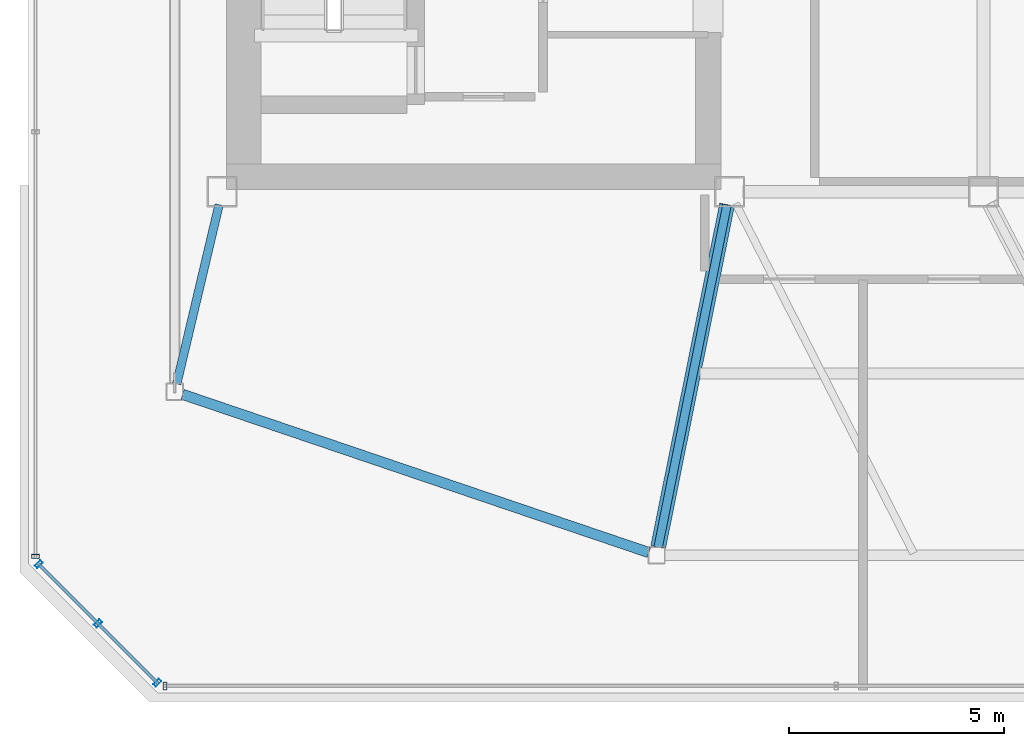
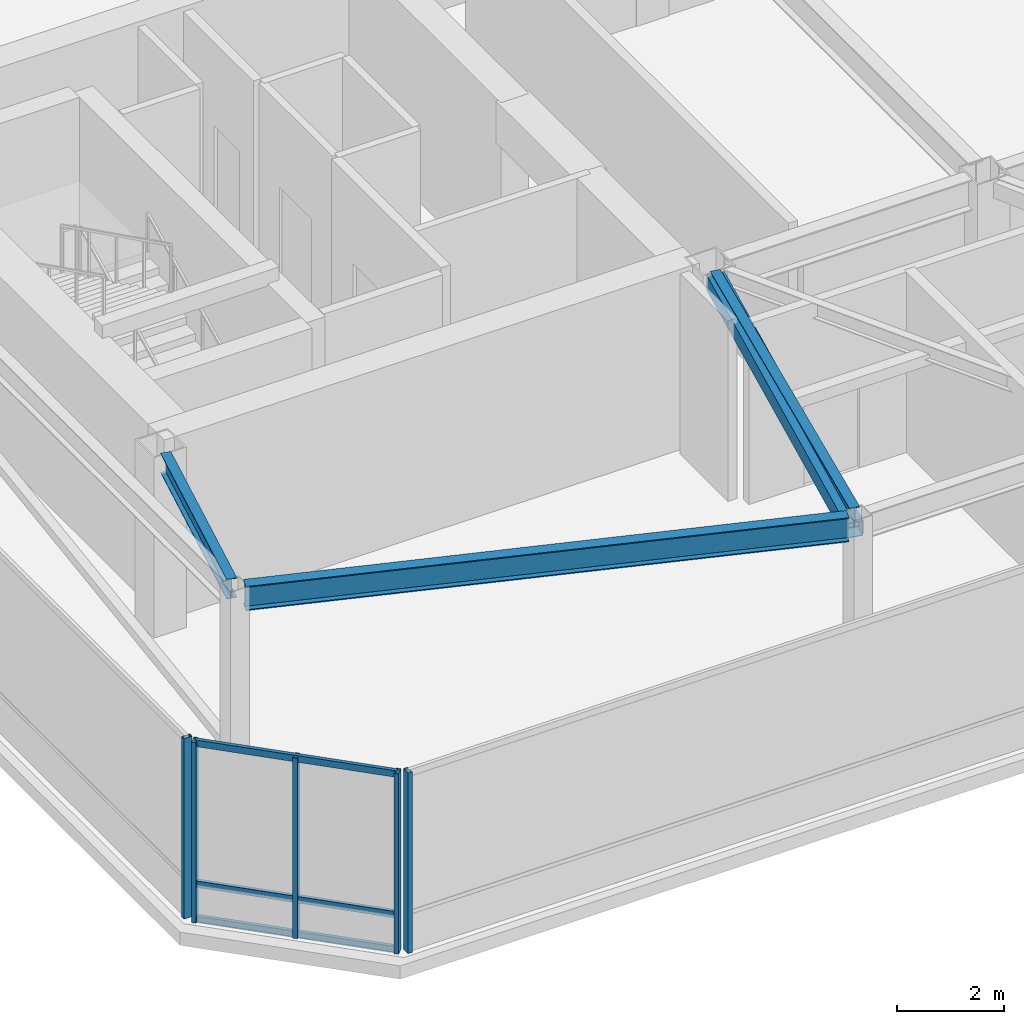
# One storey, part 2 of 21: 9 members, 3 beams, 3 elements without a shape of their own.
"""IFC4 building model written with IfcOpenShell, lengths in metres."""

from ifc_helpers import new_model, si_unit, direction, frame, origin, origin_2d, place, context, subcontext, project, spatial, hollow_rectangle, i_section, extrude, material, layer, layer_set, material_profile, profile_set, type_object, element, aggregate, save


model = new_model("IFC4")

# Units and contexts
model_context = context("Model", 3, precision=1e-05, world=origin(), true_north=direction((0.0, 1.0)))
body_context = subcontext(model_context, "Body", "Model", "MODEL_VIEW")
ifc_project = project(units=[si_unit("LENGTHUNIT", "METRE"), si_unit("AREAUNIT", "SQUARE_METRE"), si_unit("VOLUMEUNIT", "CUBIC_METRE"), si_unit("PLANEANGLEUNIT", "RADIAN"), si_unit("MASSUNIT", "GRAM", prefix="KILO")], contexts=[model_context])

# Site, building, storey
site_placement = place(None, origin())
site = spatial("IfcSite", under=ifc_project, at=site_placement, CompositionType="ELEMENT")
building_placement = place(site_placement, origin())
building = spatial("IfcBuilding", under=site, at=building_placement, Name="Tavrogorsk Clinical Tower", CompositionType="ELEMENT")
storey_placement = place(building_placement, frame((0.0, 0.0, 344.199951171875)))
storey = spatial("IfcBuildingStorey", under=building, at=storey_placement, Name="L80", CompositionType="ELEMENT", Elevation=344.199951171875)

# Member
ifc_material_1 = material(Name="Structural steel S390", Category="steel")
ifc_material_profile_1 = material_profile(ifc_material_1, hollow_rectangle(XDim=0.35009765625, YDim=0.35009765625, WallThickness=0.01611328125, at=origin_2d()), Name="SHS-350x350x16")
ifc_profile_set_1 = profile_set([ifc_material_profile_1], Name="Structural steel S390")
member_type_1 = type_object("IfcMemberType", Name="CrownFacetRafter_SHS350", PredefinedType="RAFTER", material=ifc_profile_set_1)
member_1_placement = place(storey_placement, frame((-10.361083984375, -6.65380859375, 3.869384765625), z_axis=(-0.197131196678, -0.97975889631, -0.03481086608), x_axis=(0.980353070529, -0.197250746779, 0.0)))
element("IfcMember", 1, at=member_1_placement, inside=storey, type_object=member_type_1, Name="L80 Sloped Facet Rafter S-1", PredefinedType="RAFTER", context=body_context, shape_type="SweptSolid", body=[
    extrude(hollow_rectangle(XDim=0.35009765625, YDim=0.35009765625, WallThickness=0.01611328125, at=origin_2d()), origin(), (0.0, 0.0, 1.0), 8.114501953125),
])

# Curtain wall, members
ifc_material_2 = material(Name="Anodised aluminium and triple IGU glazing", Category="aluminium")
ifc_layer = layer(ifc_material_2, 0.179931640625)
ifc_layer_set = layer_set([ifc_layer], Name="Anodised aluminium and triple IGU glazing")
curtain_wall_type = type_object("IfcCurtainWallType", Name="CW5_SkyLobby", PredefinedType="NOTDEFINED", material=ifc_layer_set)
curtain_wall_1_placement = place(storey_placement, origin())
curtain_wall_1 = element("IfcCurtainWall", 2, at=curtain_wall_1_placement, inside=storey, type_object=curtain_wall_type, Name="L80 Curtain Wall CW-L80-DRUM-1", PredefinedType="NOTDEFINED")
ifc_material_3 = material(Name="Anodised aluminium alloy AW-6060", Category="aluminium")
ifc_material_profile_2 = material_profile(ifc_material_3, hollow_rectangle(XDim=0.090087890625, YDim=0.179931640625, WallThickness=0.00634765625, at=origin_2d()), Name="RHS-180x90x6.3")
ifc_profile_set_2 = profile_set([ifc_material_profile_2], Name="Anodised aluminium alloy AW-6060")
member_type_2 = type_object("IfcMemberType", Name="CwMullion_180x90", PredefinedType="MULLION", material=ifc_profile_set_2)
member_2_placement = place(storey_placement, frame((-23.60791015625, -17.765869140625, 0.0), z_axis=(0.0, 0.0, 1.0), x_axis=(-0.707106781187, 0.707106781187, 0.0)))
member_2 = element("IfcMember", 3, at=member_2_placement, type_object=member_type_2, Name="CW-L80-DRUM-1 Mullion 1", PredefinedType="MULLION", context=body_context, shape_type="SweptSolid", body=[
    extrude(hollow_rectangle(XDim=0.090087890625, YDim=0.179931640625, WallThickness=0.00634765625, at=origin_2d()), origin(), (0.0, 0.0, 1.0), 4.10009765625),
])
member_3_placement = place(storey_placement, frame((-24.98681640625, -16.386962890625, 0.0), z_axis=(0.0, 0.0, 1.0), x_axis=(-0.707106781187, 0.707106781187, 0.0)))
member_3 = element("IfcMember", 4, at=member_3_placement, type_object=member_type_2, Name="CW-L80-DRUM-1 Mullion 2", PredefinedType="MULLION", context=body_context, shape_type="SweptSolid", body=[
    extrude(hollow_rectangle(XDim=0.090087890625, YDim=0.179931640625, WallThickness=0.00634765625, at=origin_2d()), origin(), (0.0, 0.0, 1.0), 4.10009765625),
])
member_4_placement = place(storey_placement, frame((-26.36572265625, -15.008056640625, 0.0), z_axis=(0.0, 0.0, 1.0), x_axis=(-0.707106781187, 0.707106781187, 0.0)))
member_4 = element("IfcMember", 5, at=member_4_placement, type_object=member_type_2, Name="CW-L80-DRUM-1 Mullion 3", PredefinedType="MULLION", context=body_context, shape_type="SweptSolid", body=[
    extrude(hollow_rectangle(XDim=0.090087890625, YDim=0.179931640625, WallThickness=0.00634765625, at=origin_2d()), origin(), (0.0, 0.0, 1.0), 4.10009765625),
])

# Curtain wall, member
curtain_wall_2_placement = place(storey_placement, origin())
curtain_wall_2 = element("IfcCurtainWall", 6, at=curtain_wall_2_placement, inside=storey, type_object=curtain_wall_type, Name="L80 Curtain Wall CW-L80-DRUM-2", PredefinedType="NOTDEFINED")
member_5_placement = place(storey_placement, frame((-26.43994140625, -14.82861328125, 0.0), z_axis=(0.0, 0.0, 1.0), x_axis=(0.0, 1.0, 0.0)))
member_5 = element("IfcMember", 7, at=member_5_placement, type_object=member_type_2, Name="CW-L80-DRUM-2 Mullion 1", PredefinedType="MULLION", context=body_context, shape_type="SweptSolid", body=[
    extrude(hollow_rectangle(XDim=0.090087890625, YDim=0.179931640625, WallThickness=0.00634765625, at=origin_2d()), origin(), (0.0, 0.0, 1.0), 4.10009765625),
])
aggregate(curtain_wall_2, [member_5])

curtain_wall_3_placement = place(storey_placement, origin())
curtain_wall_3 = element("IfcCurtainWall", 8, at=curtain_wall_3_placement, inside=storey, type_object=curtain_wall_type, Name="L80 Curtain Wall CW-L80-DRUM-8", PredefinedType="NOTDEFINED")
member_6_placement = place(storey_placement, frame((-23.4287109375, -17.840087890625, 0.0), z_axis=(0.0, 0.0, 1.0), x_axis=(-1.0, 0.0, 0.0)))
member_6 = element("IfcMember", 9, at=member_6_placement, type_object=member_type_2, Name="CW-L80-DRUM-8 Mullion 4", PredefinedType="MULLION", context=body_context, shape_type="SweptSolid", body=[
    extrude(hollow_rectangle(XDim=0.090087890625, YDim=0.179931640625, WallThickness=0.00634765625, at=origin_2d()), origin(), (0.0, 0.0, 1.0), 4.10009765625),
])
aggregate(curtain_wall_3, [member_6])

# Member
ifc_material_4 = material(Name="Anodised aluminium alloy AW-6060", Category="aluminium")
ifc_material_profile_3 = material_profile(ifc_material_4, hollow_rectangle(XDim=0.074951171875, YDim=0.14990234375, WallThickness=0.0048828125, at=origin_2d()), Name="RHS-150x75x5")
ifc_profile_set_3 = profile_set([ifc_material_profile_3], Name="Anodised aluminium alloy AW-6060")
member_type_3 = type_object("IfcMemberType", Name="CwTransom_150x75", PredefinedType="USERDEFINED", material=ifc_profile_set_3)
member_7_placement = place(storey_placement, frame((-23.60791015625, -17.765869140625, 0.050048828125), z_axis=(-0.707106781187, 0.707106781187, 0.0), x_axis=(-0.707106781187, -0.707106781187, 0.0)))
member_7 = element("IfcMember", 10, at=member_7_placement, type_object=member_type_3, Name="CW-L80-DRUM-1 Transom 1", ObjectType="TRANSOM", PredefinedType="USERDEFINED", context=body_context, shape_type="SweptSolid", body=[
    extrude(hollow_rectangle(XDim=0.074951171875, YDim=0.14990234375, WallThickness=0.0048828125, at=origin_2d()), origin(), (0.0, 0.0, 1.0), 3.900146484375),
])

member_8_placement = place(storey_placement, frame((-23.60791015625, -17.765869140625, 0.85009765625), z_axis=(-0.707106781187, 0.707106781187, 0.0), x_axis=(-0.707106781187, -0.707106781187, 0.0)))
member_8 = element("IfcMember", 11, at=member_8_placement, type_object=member_type_3, Name="CW-L80-DRUM-1 Transom 2", ObjectType="TRANSOM", PredefinedType="USERDEFINED", context=body_context, shape_type="SweptSolid", body=[
    extrude(hollow_rectangle(XDim=0.074951171875, YDim=0.14990234375, WallThickness=0.0048828125, at=origin_2d()), origin(), (0.0, 0.0, 1.0), 3.900146484375),
])

member_9_placement = place(storey_placement, frame((-23.60791015625, -17.765869140625, 4.050048828125), z_axis=(-0.707106781187, 0.707106781187, 0.0), x_axis=(-0.707106781187, -0.707106781187, 0.0)))
member_9 = element("IfcMember", 12, at=member_9_placement, type_object=member_type_3, Name="CW-L80-DRUM-1 Transom 3", ObjectType="TRANSOM", PredefinedType="USERDEFINED", context=body_context, shape_type="SweptSolid", body=[
    extrude(hollow_rectangle(XDim=0.074951171875, YDim=0.14990234375, WallThickness=0.0048828125, at=origin_2d()), origin(), (0.0, 0.0, 1.0), 3.900146484375),
])

aggregate(curtain_wall_1, [member_2, member_3, member_4, member_7, member_8, member_9])

# Beams
ifc_material_5 = material(Name="Structural steel S355", Category="steel")
ifc_material_profile_4 = material_profile(ifc_material_5, i_section(OverallWidth=0.199951171875, OverallDepth=0.449951171875, WebThickness=0.011474609375, FlangeThickness=0.01806640625, at=origin_2d()), Name="B-450x200x11.5x18")
ifc_profile_set_4 = profile_set([ifc_material_profile_4], Name="Structural steel S355")
beam_type_1 = type_object("IfcBeamType", Name="FloorBeam_B450", PredefinedType="BEAM", material=ifc_profile_set_4)
beam_1_placement = place(storey_placement, frame((-10.361083984375, -6.65380859375, 3.875), z_axis=(-0.197249355273, -0.980353350504, 0.0), x_axis=(0.980353350504, -0.197249355273, 0.0)))
element("IfcBeam", 13, at=beam_1_placement, inside=storey, type_object=beam_type_1, Name="L80 Crown Radial Beam 01", PredefinedType="BEAM", context=body_context, shape_type="SweptSolid", body=[
    extrude(i_section(OverallWidth=0.199951171875, OverallDepth=0.449951171875, WebThickness=0.011474609375, FlangeThickness=0.01806640625, at=origin_2d()), origin(), (0.0, 0.0, 1.0), 8.119384765625),
])
beam_2_placement = place(storey_placement, frame((-22.17138671875, -6.651611328125, 3.875), z_axis=(-0.230190528398, -0.973145580392, 0.0), x_axis=(0.973145580392, -0.230190528398, 0.0)))
element("IfcBeam", 14, at=beam_2_placement, inside=storey, type_object=beam_type_1, Name="L80 Crown Radial Beam 10", PredefinedType="BEAM", context=body_context, shape_type="SweptSolid", body=[
    extrude(i_section(OverallWidth=0.199951171875, OverallDepth=0.449951171875, WebThickness=0.011474609375, FlangeThickness=0.01806640625, at=origin_2d()), origin(), (0.0, 0.0, 1.0), 4.278564453125),
])
ifc_material_6 = material(Name="Structural steel S390", Category="steel")
ifc_material_profile_5 = material_profile(ifc_material_6, i_section(OverallWidth=0.239990234375, OverallDepth=0.550048828125, WebThickness=0.013916015625, FlangeThickness=0.02197265625, at=origin_2d()), Name="B-550x240x14x22")
ifc_profile_set_5 = profile_set([ifc_material_profile_5], Name="Structural steel S390")
beam_type_2 = type_object("IfcBeamType", Name="SpandrelBeam_B550", PredefinedType="SPANDREL", material=ifc_profile_set_5)
beam_3_placement = place(storey_placement, frame((-23.02001953125, -11.06103515625, 3.824951171875), z_axis=(0.946976266831, -0.321303517034, 0.0), x_axis=(0.321303517034, 0.946976266831, 0.0)))
element("IfcBeam", 15, at=beam_3_placement, inside=storey, type_object=beam_type_2, Name="L80 Crown Spandrel Beam 10", PredefinedType="SPANDREL", context=body_context, shape_type="SweptSolid", body=[
    extrude(i_section(OverallWidth=0.239990234375, OverallDepth=0.550048828125, WebThickness=0.013916015625, FlangeThickness=0.02197265625, at=origin_2d()), origin(), (0.0, 0.0, 1.0), 11.447021484375),
])

save(model, "model.ifc")
